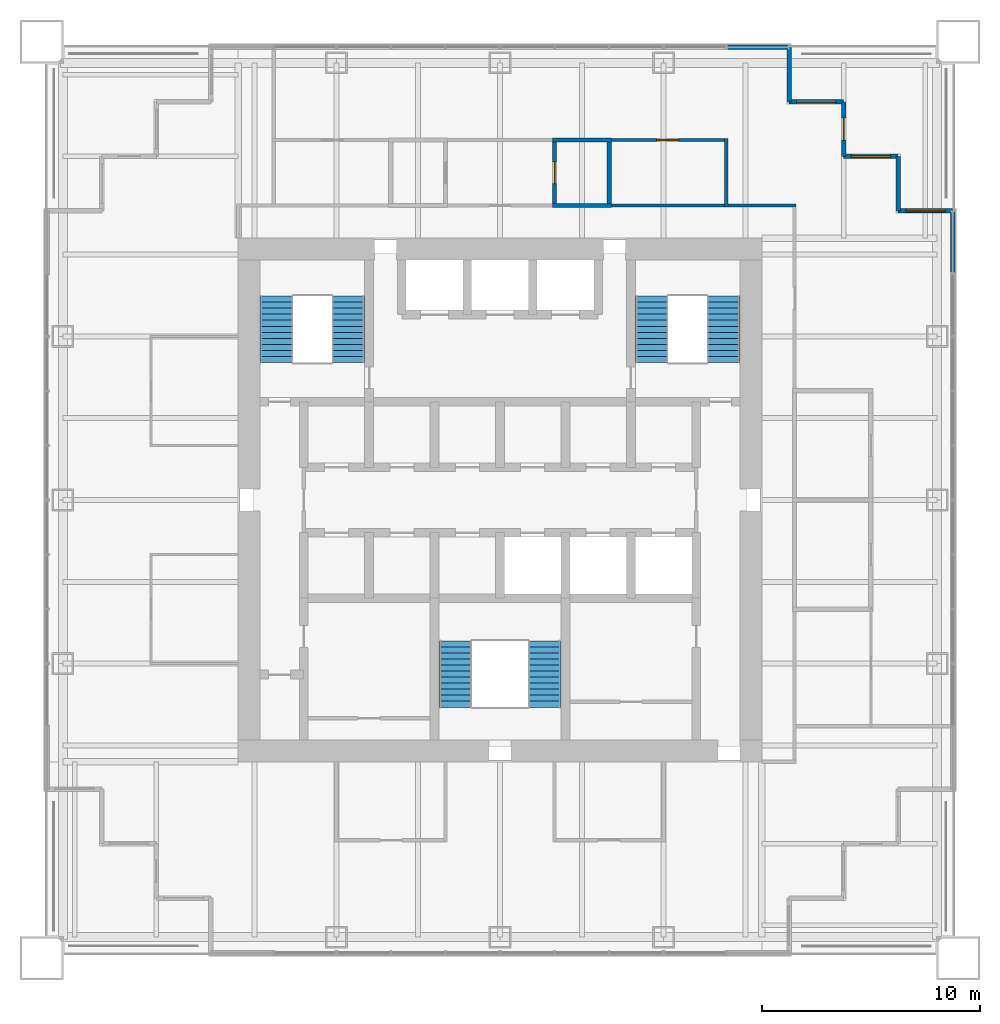
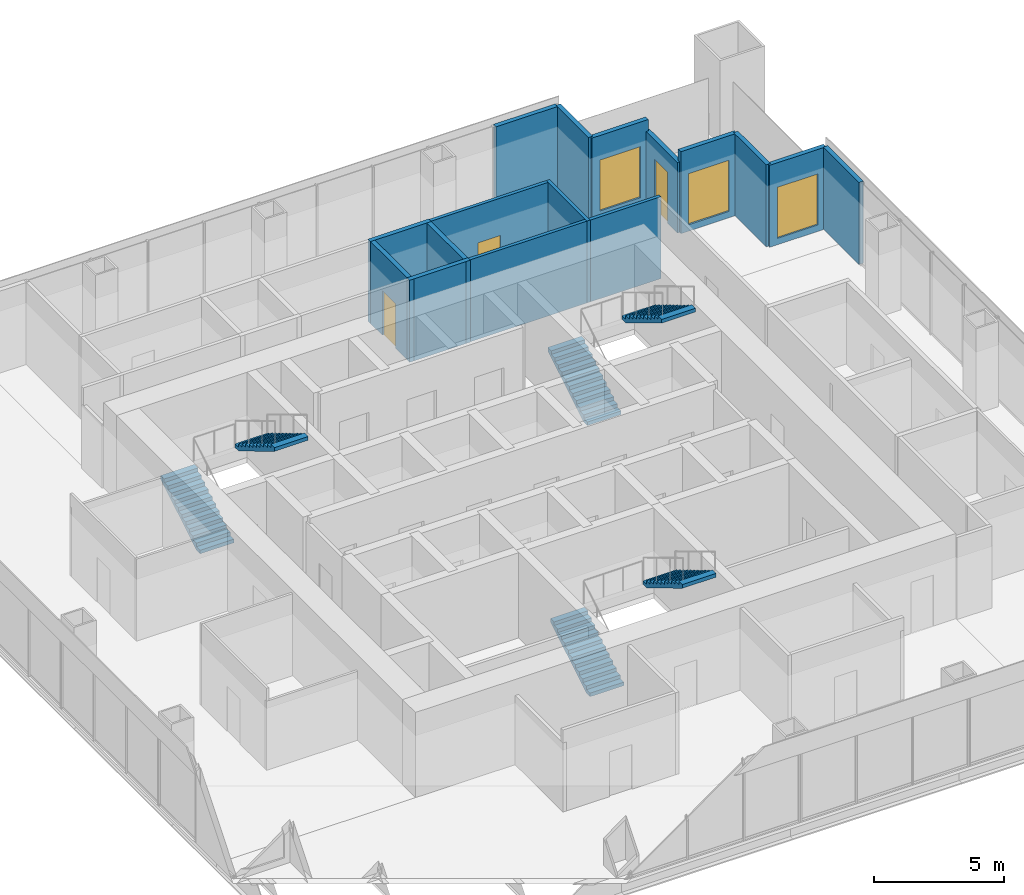
# One storey, part 12 of 14: 15 walls, 6 stair flights, 3 doors, 3 windows, 6 openings, 3 elements without a shape of their own.
"""IFC4 building model written with IfcOpenShell, lengths in metres."""

from ifc_helpers import new_model, si_unit, direction, frame, frame_2d, origin, place, context, subcontext, project, spatial, polyline, rectangle, outline, extrude, material, layer, layer_set, type_object, element, fill, aggregate, save


model = new_model("IFC4")

# Units and contexts
model_context = context("Model", 3, precision=1e-05, world=origin(), true_north=direction((0.0, 1.0)))
body_context = subcontext(model_context, "Body", "Model", "MODEL_VIEW")
ifc_project = project(units=[si_unit("LENGTHUNIT", "METRE"), si_unit("AREAUNIT", "SQUARE_METRE"), si_unit("VOLUMEUNIT", "CUBIC_METRE"), si_unit("PLANEANGLEUNIT", "RADIAN"), si_unit("MASSUNIT", "GRAM", prefix="KILO")], contexts=[model_context])

# Site, building, storey
site_placement = place(None, origin())
site = spatial("IfcSite", under=ifc_project, at=site_placement, CompositionType="ELEMENT")
building_placement = place(site_placement, origin())
building = spatial("IfcBuilding", under=site, at=building_placement, Name="Tarangal Relay Tower", CompositionType="ELEMENT")
storey_placement = place(building_placement, frame((0.0, 0.0, 327.89990234375)))
storey = spatial("IfcBuildingStorey", under=building, at=storey_placement, Name="L73", CompositionType="ELEMENT", Elevation=327.89990234375)

# Walls
ifc_material_1 = material(Name="Two layers gypsum board each side on twin steel studs, mineral wool", Category="steel")
ifc_layer_1 = layer(ifc_material_1, 0.199951171875)
ifc_layer_set_1 = layer_set([ifc_layer_1], Name="Acoustic partition 200")
wall_type_1 = type_object("IfcWallType", Name="Acoustic partition 200", PredefinedType="PARTITIONING", material=ifc_layer_set_1)
for number, where, z_axis, x_axis, name in (
    (1, (2.39990234375, 13.5, 0.0), (0.0, 0.0, 1.0), (1.0, 0.0, 0.0), "Partition PT2 L73"),
    (2, (2.39990234375, 16.5, 0.0), (0.0, 0.0, 1.0), (1.0, 0.0, 0.0), "Partition PT2 L73"),
):
    element("IfcWall", number, at=place(storey_placement, frame(where, z_axis=z_axis, x_axis=x_axis)), inside=storey, type_object=wall_type_1, Name=name, PredefinedType="PARTITIONING", context=body_context, shape_type="SweptSolid", body=[
        extrude(rectangle(XDim=2.7001953125, YDim=0.199951171875, at=frame_2d((1.35009765625, 0.0))), origin(), (0.0, 0.0, 1.0), 3.85009765625),
    ])

# Wall, opening, door
wall_1_placement = place(storey_placement, frame((2.5, 13.39990234375, 0.0), z_axis=(0.0, 0.0, 1.0), x_axis=(0.0, 1.0, 0.0)))
wall_1 = element("IfcWall", 3, at=wall_1_placement, inside=storey, type_object=wall_type_1, Name="Partition PT2 L73", PredefinedType="PARTITIONING", context=body_context, shape_type="SweptSolid", body=[
    extrude(rectangle(XDim=3.2001953125, YDim=0.199951171875, at=frame_2d((1.60009765625, 0.0))), origin(), (0.0, 0.0, 1.0), 3.85009765625),
])
opening_1_placement = place(wall_1_placement, frame((1.10009765625, 0.0, 0.0)))
opening_1 = element("IfcOpeningElement", 4, at=opening_1_placement, cuts=wall_1, Name="Opening D2", PredefinedType="OPENING", context=body_context, shape_type="SweptSolid", body=[
    extrude(rectangle(XDim=1.0, YDim=2.10009765625, at=frame_2d((0.5, 1.050048828125))), frame((0.0, 0.10986328125, 0.0), z_axis=(0.0, -1.0, 0.0), x_axis=(1.0, 0.0, 0.0)), (0.0, 0.0, 1.0), 0.219970703125),
])
ifc_material_2 = material(Name="Hardwood door", Category="wood")
door_type_1 = type_object("IfcDoorType", Name="Door 1000 x 2100", OperationType="SINGLE_SWING_LEFT", PredefinedType="DOOR", material=ifc_material_2)
door_1_placement = place(opening_1_placement, origin())
door_1 = element("IfcDoor", 5, at=door_1_placement, inside=storey, type_object=door_type_1, Name="Door D2 to phone room L73-05", OperationType="SINGLE_SWING_LEFT", OverallHeight=2.10009765625, OverallWidth=1.0, PredefinedType="DOOR", context=body_context, shape_type="SweptSolid", body=[
    extrude(rectangle(XDim=1.0, YDim=2.10009765625, at=frame_2d((0.5, 1.050048828125))), frame((0.0, 0.02490234375, 0.0), z_axis=(0.0, -1.0, 0.0), x_axis=(1.0, 0.0, 0.0)), (0.0, 0.0, 1.0), 0.050048828125),
])
fill(opening_1, door_1)

# Walls
wall_2_placement = place(storey_placement, frame((5.0, 13.39990234375, 0.0), z_axis=(0.0, 0.0, 1.0), x_axis=(0.0, 1.0, 0.0)))
element("IfcWall", 6, at=wall_2_placement, inside=storey, type_object=wall_type_1, Name="Partition PT2 L73", PredefinedType="PARTITIONING", context=body_context, shape_type="SweptSolid", body=[
    extrude(rectangle(XDim=3.2001953125, YDim=0.199951171875, at=frame_2d((1.60009765625, 0.0))), origin(), (0.0, 0.0, 1.0), 3.85009765625),
])
ifc_material_3 = material(Name="Black metal clad insulated wall", Category="steel")
ifc_layer_2 = layer(ifc_material_3, 0.199951171875)
ifc_layer_set_2 = layer_set([ifc_layer_2], Name="Corner wall metal clad 200")
wall_type_2 = type_object("IfcWallType", Name="Corner wall metal clad 200", PredefinedType="SOLIDWALL", material=ifc_layer_set_2)
wall_3_placement = place(storey_placement, frame((13.25, 20.75, 0.0), z_axis=(0.0, 0.0, 1.0), x_axis=(0.0, -1.0, 0.0)))
element("IfcWall", 7, at=wall_3_placement, inside=storey, type_object=wall_type_2, Name="Facade wall N facade L73", PredefinedType="SOLIDWALL", context=body_context, shape_type="SweptSolid", body=[
    extrude(rectangle(XDim=2.5, YDim=0.199951171875, at=frame_2d((1.25, 0.0))), origin(), (0.0, 0.0, 1.0), 3.85009765625),
])

# Wall, opening, window
wall_4_placement = place(storey_placement, frame((13.25, 18.25, 0.0), z_axis=(0.0, 0.0, 1.0), x_axis=(1.0, 0.0, 0.0)))
wall_4 = element("IfcWall", 8, at=wall_4_placement, inside=storey, type_object=wall_type_2, Name="Facade wall N facade L73", PredefinedType="SOLIDWALL", context=body_context, shape_type="SweptSolid", body=[
    extrude(rectangle(XDim=2.5, YDim=0.199951171875, at=frame_2d((1.25, 0.0))), origin(), (0.0, 0.0, 1.0), 3.85009765625),
])
opening_2_placement = place(wall_4_placement, frame((0.35009765625, 0.0, 0.300048828125)))
opening_2 = element("IfcOpeningElement", 9, at=opening_2_placement, cuts=wall_4, Name="Opening WN2", PredefinedType="OPENING", context=body_context, shape_type="SweptSolid", body=[
    extrude(rectangle(XDim=1.800048828125, YDim=2.39990234375, at=frame_2d((0.89990234375, 1.199951171875))), frame((0.0, 0.10986328125, 0.0), z_axis=(0.0, -1.0, 0.0), x_axis=(1.0, 0.0, 0.0)), (0.0, 0.0, 1.0), 0.219970703125),
])
ifc_material_4 = material(Name="Dark tinted double glazing in black aluminium frame", Category="aluminium")
window_type = type_object("IfcWindowType", Name="Corner window 1800 x 2400", PartitioningType="SINGLE_PANEL", PredefinedType="WINDOW", material=ifc_material_4)
window_1_placement = place(opening_2_placement, origin())
window_1 = element("IfcWindow", 10, at=window_1_placement, inside=storey, type_object=window_type, Name="Corner window WN2 N facade L73", OverallHeight=2.39990234375, OverallWidth=1.800048828125, PartitioningType="SINGLE_PANEL", PredefinedType="WINDOW", context=body_context, shape_type="SweptSolid", body=[
    extrude(rectangle(XDim=1.800048828125, YDim=2.39990234375, at=frame_2d((0.89990234375, 1.199951171875))), frame((0.0, 0.030029296875, 0.0), z_axis=(0.0, -1.0, 0.0), x_axis=(1.0, 0.0, 0.0)), (0.0, 0.0, 1.0), 0.06005859375),
])
fill(opening_2, window_1)

# Wall, opening, door
wall_5_placement = place(storey_placement, frame((15.75, 18.25, 0.0), z_axis=(0.0, 0.0, 1.0), x_axis=(0.0, -1.0, 0.0)))
wall_5 = element("IfcWall", 11, at=wall_5_placement, inside=storey, type_object=wall_type_2, Name="Facade wall N facade L73", PredefinedType="SOLIDWALL", context=body_context, shape_type="SweptSolid", body=[
    extrude(rectangle(XDim=2.5, YDim=0.199951171875, at=frame_2d((1.25, 0.0))), origin(), (0.0, 0.0, 1.0), 3.316650390625),
])
opening_3_placement = place(wall_5_placement, frame((0.75, 0.0, 0.0)))
opening_3 = element("IfcOpeningElement", 12, at=opening_3_placement, cuts=wall_5, Name="Opening TD1", PredefinedType="OPENING", context=body_context, shape_type="SweptSolid", body=[
    extrude(rectangle(XDim=1.0, YDim=2.39990234375, at=frame_2d((0.5, 1.199951171875))), frame((0.0, 0.10986328125, 0.0), z_axis=(0.0, -1.0, 0.0), x_axis=(1.0, 0.0, 0.0)), (0.0, 0.0, 1.0), 0.219970703125),
])
ifc_material_5 = material(Name="Aluminium glazed door", Category="aluminium")
door_type_2 = type_object("IfcDoorType", Name="Terrace door 1000 x 2400", OperationType="SINGLE_SWING_RIGHT", PredefinedType="DOOR", material=ifc_material_5)
door_2_placement = place(opening_3_placement, origin())
door_2 = element("IfcDoor", 13, at=door_2_placement, inside=storey, type_object=door_type_2, Name="Terrace door TD1 NE L73", OperationType="SINGLE_SWING_RIGHT", OverallHeight=2.39990234375, OverallWidth=1.0, PredefinedType="DOOR", context=body_context, shape_type="SweptSolid", body=[
    extrude(rectangle(XDim=1.0, YDim=2.39990234375, at=frame_2d((0.5, 1.199951171875))), frame((0.0, 0.02490234375, 0.0), z_axis=(0.0, -1.0, 0.0), x_axis=(1.0, 0.0, 0.0)), (0.0, 0.0, 1.0), 0.050048828125),
])
fill(opening_3, door_2)

# Wall, opening, window
wall_6_placement = place(storey_placement, frame((15.75, 15.75, 0.0), z_axis=(0.0, 0.0, 1.0), x_axis=(1.0, 0.0, 0.0)))
wall_6 = element("IfcWall", 14, at=wall_6_placement, inside=storey, type_object=wall_type_2, Name="Facade wall N facade L73", PredefinedType="SOLIDWALL", context=body_context, shape_type="SweptSolid", body=[
    extrude(rectangle(XDim=2.5, YDim=0.199951171875, at=frame_2d((1.25, 0.0))), origin(), (0.0, 0.0, 1.0), 3.85009765625),
])
opening_4_placement = place(wall_6_placement, frame((0.35009765625, 0.0, 0.300048828125)))
opening_4 = element("IfcOpeningElement", 15, at=opening_4_placement, cuts=wall_6, Name="Opening WN2", PredefinedType="OPENING", context=body_context, shape_type="SweptSolid", body=[
    extrude(rectangle(XDim=1.800048828125, YDim=2.39990234375, at=frame_2d((0.89990234375, 1.199951171875))), frame((0.0, 0.10986328125, 0.0), z_axis=(0.0, -1.0, 0.0), x_axis=(1.0, 0.0, 0.0)), (0.0, 0.0, 1.0), 0.219970703125),
])
window_2_placement = place(opening_4_placement, origin())
window_2 = element("IfcWindow", 16, at=window_2_placement, inside=storey, type_object=window_type, Name="Corner window WN2 N facade L73", OverallHeight=2.39990234375, OverallWidth=1.800048828125, PartitioningType="SINGLE_PANEL", PredefinedType="WINDOW", context=body_context, shape_type="SweptSolid", body=[
    extrude(rectangle(XDim=1.800048828125, YDim=2.39990234375, at=frame_2d((0.89990234375, 1.199951171875))), frame((0.0, 0.030029296875, 0.0), z_axis=(0.0, -1.0, 0.0), x_axis=(1.0, 0.0, 0.0)), (0.0, 0.0, 1.0), 0.06005859375),
])
fill(opening_4, window_2)

# Wall
wall_7_placement = place(storey_placement, frame((18.25, 15.75, 0.0), z_axis=(0.0, 0.0, 1.0), x_axis=(0.0, -1.0, 0.0)))
element("IfcWall", 17, at=wall_7_placement, inside=storey, type_object=wall_type_2, Name="Facade wall N facade L73", PredefinedType="SOLIDWALL", context=body_context, shape_type="SweptSolid", body=[
    extrude(rectangle(XDim=2.5, YDim=0.199951171875, at=frame_2d((1.25, 0.0))), origin(), (0.0, 0.0, 1.0), 3.85009765625),
])

# Wall, opening, window
wall_8_placement = place(storey_placement, frame((18.25, 13.25, 0.0), z_axis=(0.0, 0.0, 1.0), x_axis=(1.0, 0.0, 0.0)))
wall_8 = element("IfcWall", 18, at=wall_8_placement, inside=storey, type_object=wall_type_2, Name="Facade wall N facade L73", PredefinedType="SOLIDWALL", context=body_context, shape_type="SweptSolid", body=[
    extrude(rectangle(XDim=2.5, YDim=0.199951171875, at=frame_2d((1.25, 0.0))), origin(), (0.0, 0.0, 1.0), 3.85009765625),
])
opening_5_placement = place(wall_8_placement, frame((0.35009765625, 0.0, 0.300048828125)))
opening_5 = element("IfcOpeningElement", 19, at=opening_5_placement, cuts=wall_8, Name="Opening WN2", PredefinedType="OPENING", context=body_context, shape_type="SweptSolid", body=[
    extrude(rectangle(XDim=1.800048828125, YDim=2.39990234375, at=frame_2d((0.89990234375, 1.199951171875))), frame((0.0, 0.10986328125, 0.0), z_axis=(0.0, -1.0, 0.0), x_axis=(1.0, 0.0, 0.0)), (0.0, 0.0, 1.0), 0.219970703125),
])
window_3_placement = place(opening_5_placement, origin())
window_3 = element("IfcWindow", 20, at=window_3_placement, inside=storey, type_object=window_type, Name="Corner window WN2 N facade L73", OverallHeight=2.39990234375, OverallWidth=1.800048828125, PartitioningType="SINGLE_PANEL", PredefinedType="WINDOW", context=body_context, shape_type="SweptSolid", body=[
    extrude(rectangle(XDim=1.800048828125, YDim=2.39990234375, at=frame_2d((0.89990234375, 1.199951171875))), frame((0.0, 0.030029296875, 0.0), z_axis=(0.0, -1.0, 0.0), x_axis=(1.0, 0.0, 0.0)), (0.0, 0.0, 1.0), 0.06005859375),
])
fill(opening_5, window_3)

# Walls
ifc_layer_3 = layer(ifc_material_3, 0.199951171875)
ifc_layer_set_3 = layer_set([ifc_layer_3], Name="Facade infill wall metal clad 200")
wall_type_3 = type_object("IfcWallType", Name="Facade infill wall metal clad 200", PredefinedType="SOLIDWALL", material=ifc_layer_set_3)
for number, where, z_axis, x_axis, name in (
    (21, (10.43505859375, 20.75, 0.0), (0.0, 0.0, 1.0), (1.0, 0.0, 0.0), "Facade infill wall N facade L73 1.1"),
    (22, (20.75, 13.18994140625, 0.0), (0.0, 0.0, 1.0), (0.0, -1.0, 0.0), "Facade infill wall E facade L73 1.1"),
):
    element("IfcWall", number, at=place(storey_placement, frame(where, z_axis=z_axis, x_axis=x_axis)), inside=storey, type_object=wall_type_3, Name=name, PredefinedType="SOLIDWALL", context=body_context, shape_type="SweptSolid", body=[
        extrude(rectangle(XDim=2.7548828125, YDim=0.199951171875, at=frame_2d((1.37744140625, 0.0))), origin(), (0.0, 0.0, 1.0), 3.85009765625),
    ])
ifc_material_6 = material(Name="Gypsum board on steel studs", Category="steel")
ifc_layer_4 = layer(ifc_material_6, 0.14990234375)
ifc_layer_set_4 = layer_set([ifc_layer_4], Name="Partition 150")
wall_type_4 = type_object("IfcWallType", Name="Partition 150", PredefinedType="PARTITIONING", material=ifc_layer_set_4)
wall_9_placement = place(storey_placement, frame((4.925048828125, 13.5, 0.0), z_axis=(0.0, 0.0, 1.0), x_axis=(1.0, 0.0, 0.0)))
element("IfcWall", 23, at=wall_9_placement, inside=storey, type_object=wall_type_4, Name="Partition PT1 L73", PredefinedType="PARTITIONING", context=body_context, shape_type="SweptSolid", body=[
    extrude(rectangle(XDim=8.64990234375, YDim=0.14990234375, at=frame_2d((4.324951171875, 0.0))), origin(), (0.0, 0.0, 1.0), 3.85009765625),
])

# Wall, opening, door
wall_10_placement = place(storey_placement, frame((4.925048828125, 16.5, 0.0), z_axis=(0.0, 0.0, 1.0), x_axis=(1.0, 0.0, 0.0)))
wall_10 = element("IfcWall", 24, at=wall_10_placement, inside=storey, type_object=wall_type_4, Name="Partition PT1 L73", PredefinedType="PARTITIONING", context=body_context, shape_type="SweptSolid", body=[
    extrude(rectangle(XDim=5.52490234375, YDim=0.14990234375, at=frame_2d((2.762451171875, 0.0))), origin(), (0.0, 0.0, 1.0), 3.85009765625),
])
opening_6_placement = place(wall_10_placement, frame((2.262451171875, 0.0, 0.0)))
opening_6 = element("IfcOpeningElement", 25, at=opening_6_placement, cuts=wall_10, Name="Opening D2", PredefinedType="OPENING", context=body_context, shape_type="SweptSolid", body=[
    extrude(rectangle(XDim=1.0, YDim=2.10009765625, at=frame_2d((0.5, 1.050048828125))), frame((0.0, 0.0849609375, 0.0), z_axis=(0.0, -1.0, 0.0), x_axis=(1.0, 0.0, 0.0)), (0.0, 0.0, 1.0), 0.169921875),
])
door_3_placement = place(opening_6_placement, origin())
door_3 = element("IfcDoor", 26, at=door_3_placement, inside=storey, type_object=door_type_1, Name="Door D2 to executive office L73-06", OperationType="SINGLE_SWING_LEFT", OverallHeight=2.10009765625, OverallWidth=1.0, PredefinedType="DOOR", context=body_context, shape_type="SweptSolid", body=[
    extrude(rectangle(XDim=1.0, YDim=2.10009765625, at=frame_2d((0.5, 1.050048828125))), frame((0.0, 0.02490234375, 0.0), z_axis=(0.0, -1.0, 0.0), x_axis=(1.0, 0.0, 0.0)), (0.0, 0.0, 1.0), 0.050048828125),
])
fill(opening_6, door_3)

# Wall
wall_11_placement = place(storey_placement, frame((10.375, 13.425048828125, 0.0), z_axis=(0.0, 0.0, 1.0), x_axis=(0.0, 1.0, 0.0)))
element("IfcWall", 27, at=wall_11_placement, inside=storey, type_object=wall_type_4, Name="Partition PT1 L73", PredefinedType="PARTITIONING", context=body_context, shape_type="SweptSolid", body=[
    extrude(rectangle(XDim=3.14990234375, YDim=0.14990234375, at=frame_2d((1.574951171875, 0.0))), origin(), (0.0, 0.0, 1.0), 3.85009765625),
])

# Stair, stair flights
ifc_material_7 = material(Name="Steel ASTM A992 stair flight", Category="steel")
stair_type = type_object("IfcStairType", Name="Core stair 1500", PredefinedType="HALF_TURN_STAIR", material=ifc_material_7)
stair_1_placement = place(storey_placement, origin())
stair_1 = element("IfcStair", 28, at=stair_1_placement, inside=storey, type_object=stair_type, Name="Stair ST-A L73", PredefinedType="HALF_TURN_STAIR")
stair_flight_type = type_object("IfcStairFlightType", Name="Steel stair flight 1500, 12 risers 167 x 277", PredefinedType="STRAIGHT", material=ifc_material_7)
stair_flight_1_placement = place(storey_placement, frame((-10.25, 6.300048828125, 0.0), z_axis=(0.0, 0.0, 1.0), x_axis=(0.0, 1.0, 0.0)))
stair_flight_1 = element("IfcStairFlight", 29, at=stair_flight_1_placement, type_object=stair_flight_type, Name="ST-A flight 1", NumberOfRisers=12, NumberOfTreads=11, PredefinedType="STRAIGHT", RiserHeight=0.166666667, TreadLength=0.277, context=body_context, shape_type="SweptSolid", body=[
    extrude(outline(polyline([(0.0, 0.0), (0.0, 0.166748046875), (0.277099609375, 0.166748046875), (0.277099609375, 0.333251953125), (0.553955078125, 0.333251953125), (0.553955078125, 0.5), (0.8310546875, 0.5), (0.8310546875, 0.666748046875), (1.10791015625, 0.666748046875), (1.10791015625, 0.833251953125), (1.385009765625, 0.833251953125), (1.385009765625, 1.0), (1.662109375, 1.0), (1.662109375, 1.166748046875), (1.93896484375, 1.166748046875), (1.93896484375, 1.333251953125), (2.216064453125, 1.333251953125), (2.216064453125, 1.5), (2.492919921875, 1.5), (2.492919921875, 1.666748046875), (2.77001953125, 1.666748046875), (2.77001953125, 1.833251953125), (3.047119140625, 1.833251953125), (3.047119140625, 2.0), (3.047119140625, 1.658447265625), (0.290771484375, 0.0), (0.0, 0.0)])), frame((0.0, 0.75, 0.0), z_axis=(0.0, -1.0, 0.0), x_axis=(1.0, 0.0, 0.0)), (0.0, 0.0, 1.0), 1.5),
])
stair_flight_2_placement = place(storey_placement, frame((-6.949951171875, 9.346923828125, 2.0), z_axis=(0.0, 0.0, 1.0), x_axis=(0.0, -1.0, 0.0)))
stair_flight_2 = element("IfcStairFlight", 30, at=stair_flight_2_placement, type_object=stair_flight_type, Name="ST-A flight 2", NumberOfRisers=12, NumberOfTreads=11, PredefinedType="STRAIGHT", RiserHeight=0.166666667, TreadLength=0.277, context=body_context, shape_type="SweptSolid", body=[
    extrude(outline(polyline([(0.0, 0.0), (0.0, 0.166748046875), (0.277099609375, 0.166748046875), (0.277099609375, 0.333251953125), (0.553955078125, 0.333251953125), (0.553955078125, 0.5), (0.8310546875, 0.5), (0.8310546875, 0.666748046875), (1.10791015625, 0.666748046875), (1.10791015625, 0.833251953125), (1.385009765625, 0.833251953125), (1.385009765625, 1.0), (1.662109375, 1.0), (1.662109375, 1.166748046875), (1.93896484375, 1.166748046875), (1.93896484375, 1.333251953125), (2.216064453125, 1.333251953125), (2.216064453125, 1.5), (2.492919921875, 1.5), (2.492919921875, 1.666748046875), (2.77001953125, 1.666748046875), (2.77001953125, 1.833251953125), (3.047119140625, 1.833251953125), (3.047119140625, 2.0), (3.047119140625, 1.658447265625), (0.290771484375, 0.0), (0.0, 0.0)])), frame((0.0, 0.75, 0.0), z_axis=(0.0, -1.0, 0.0), x_axis=(1.0, 0.0, 0.0)), (0.0, 0.0, 1.0), 1.5),
])
aggregate(stair_1, [stair_flight_1, stair_flight_2])

stair_2_placement = place(storey_placement, origin())
stair_2 = element("IfcStair", 31, at=stair_2_placement, inside=storey, type_object=stair_type, Name="Stair ST-B L73", PredefinedType="HALF_TURN_STAIR")
stair_flight_3_placement = place(storey_placement, frame((6.949951171875, 6.300048828125, 0.0), z_axis=(0.0, 0.0, 1.0), x_axis=(0.0, 1.0, 0.0)))
stair_flight_3 = element("IfcStairFlight", 32, at=stair_flight_3_placement, type_object=stair_flight_type, Name="ST-B flight 1", NumberOfRisers=12, NumberOfTreads=11, PredefinedType="STRAIGHT", RiserHeight=0.166666667, TreadLength=0.277, context=body_context, shape_type="SweptSolid", body=[
    extrude(outline(polyline([(0.0, 0.0), (0.0, 0.166748046875), (0.277099609375, 0.166748046875), (0.277099609375, 0.333251953125), (0.553955078125, 0.333251953125), (0.553955078125, 0.5), (0.8310546875, 0.5), (0.8310546875, 0.666748046875), (1.10791015625, 0.666748046875), (1.10791015625, 0.833251953125), (1.385009765625, 0.833251953125), (1.385009765625, 1.0), (1.662109375, 1.0), (1.662109375, 1.166748046875), (1.93896484375, 1.166748046875), (1.93896484375, 1.333251953125), (2.216064453125, 1.333251953125), (2.216064453125, 1.5), (2.492919921875, 1.5), (2.492919921875, 1.666748046875), (2.77001953125, 1.666748046875), (2.77001953125, 1.833251953125), (3.047119140625, 1.833251953125), (3.047119140625, 2.0), (3.047119140625, 1.658447265625), (0.290771484375, 0.0), (0.0, 0.0)])), frame((0.0, 0.75, 0.0), z_axis=(0.0, -1.0, 0.0), x_axis=(1.0, 0.0, 0.0)), (0.0, 0.0, 1.0), 1.5),
])
stair_flight_4_placement = place(storey_placement, frame((10.25, 9.346923828125, 2.0), z_axis=(0.0, 0.0, 1.0), x_axis=(0.0, -1.0, 0.0)))
stair_flight_4 = element("IfcStairFlight", 33, at=stair_flight_4_placement, type_object=stair_flight_type, Name="ST-B flight 2", NumberOfRisers=12, NumberOfTreads=11, PredefinedType="STRAIGHT", RiserHeight=0.166666667, TreadLength=0.277, context=body_context, shape_type="SweptSolid", body=[
    extrude(outline(polyline([(0.0, 0.0), (0.0, 0.166748046875), (0.277099609375, 0.166748046875), (0.277099609375, 0.333251953125), (0.553955078125, 0.333251953125), (0.553955078125, 0.5), (0.8310546875, 0.5), (0.8310546875, 0.666748046875), (1.10791015625, 0.666748046875), (1.10791015625, 0.833251953125), (1.385009765625, 0.833251953125), (1.385009765625, 1.0), (1.662109375, 1.0), (1.662109375, 1.166748046875), (1.93896484375, 1.166748046875), (1.93896484375, 1.333251953125), (2.216064453125, 1.333251953125), (2.216064453125, 1.5), (2.492919921875, 1.5), (2.492919921875, 1.666748046875), (2.77001953125, 1.666748046875), (2.77001953125, 1.833251953125), (3.047119140625, 1.833251953125), (3.047119140625, 2.0), (3.047119140625, 1.658447265625), (0.290771484375, 0.0), (0.0, 0.0)])), frame((0.0, 0.75, 0.0), z_axis=(0.0, -1.0, 0.0), x_axis=(1.0, 0.0, 0.0)), (0.0, 0.0, 1.0), 1.5),
])
aggregate(stair_2, [stair_flight_3, stair_flight_4])

stair_3_placement = place(storey_placement, origin())
stair_3 = element("IfcStair", 34, at=stair_3_placement, inside=storey, type_object=stair_type, Name="Stair ST-C L73", PredefinedType="HALF_TURN_STAIR")
stair_flight_5_placement = place(storey_placement, frame((-2.050048828125, -9.5, 0.0), z_axis=(0.0, 0.0, 1.0), x_axis=(0.0, 1.0, 0.0)))
stair_flight_5 = element("IfcStairFlight", 35, at=stair_flight_5_placement, type_object=stair_flight_type, Name="ST-C flight 1", NumberOfRisers=12, NumberOfTreads=11, PredefinedType="STRAIGHT", RiserHeight=0.166666667, TreadLength=0.277, context=body_context, shape_type="SweptSolid", body=[
    extrude(outline(polyline([(0.0, 0.0), (0.0, 0.166748046875), (0.277099609375, 0.166748046875), (0.277099609375, 0.333251953125), (0.553955078125, 0.333251953125), (0.553955078125, 0.5), (0.8310546875, 0.5), (0.8310546875, 0.666748046875), (1.10791015625, 0.666748046875), (1.10791015625, 0.833251953125), (1.385009765625, 0.833251953125), (1.385009765625, 1.0), (1.662109375, 1.0), (1.662109375, 1.166748046875), (1.93896484375, 1.166748046875), (1.93896484375, 1.333251953125), (2.216064453125, 1.333251953125), (2.216064453125, 1.5), (2.492919921875, 1.5), (2.492919921875, 1.666748046875), (2.77001953125, 1.666748046875), (2.77001953125, 1.833251953125), (3.047119140625, 1.833251953125), (3.047119140625, 2.0), (3.047119140625, 1.658447265625), (0.290771484375, 0.0), (0.0, 0.0)])), frame((0.0, 0.75, 0.0), z_axis=(0.0, -1.0, 0.0), x_axis=(1.0, 0.0, 0.0)), (0.0, 0.0, 1.0), 1.5),
])
stair_flight_6_placement = place(storey_placement, frame((2.050048828125, -6.452880859375, 2.0), z_axis=(0.0, 0.0, 1.0), x_axis=(0.0, -1.0, 0.0)))
stair_flight_6 = element("IfcStairFlight", 36, at=stair_flight_6_placement, type_object=stair_flight_type, Name="ST-C flight 2", NumberOfRisers=12, NumberOfTreads=11, PredefinedType="STRAIGHT", RiserHeight=0.166666667, TreadLength=0.277, context=body_context, shape_type="SweptSolid", body=[
    extrude(outline(polyline([(0.0, 0.0), (0.0, 0.166748046875), (0.277099609375, 0.166748046875), (0.277099609375, 0.333251953125), (0.553955078125, 0.333251953125), (0.553955078125, 0.5), (0.8310546875, 0.5), (0.8310546875, 0.666748046875), (1.10791015625, 0.666748046875), (1.10791015625, 0.833251953125), (1.385009765625, 0.833251953125), (1.385009765625, 1.0), (1.662109375, 1.0), (1.662109375, 1.166748046875), (1.93896484375, 1.166748046875), (1.93896484375, 1.333251953125), (2.216064453125, 1.333251953125), (2.216064453125, 1.5), (2.492919921875, 1.5), (2.492919921875, 1.666748046875), (2.77001953125, 1.666748046875), (2.77001953125, 1.833251953125), (3.047119140625, 1.833251953125), (3.047119140625, 2.0), (3.047119140625, 1.658447265625), (0.290771484375, 0.0), (0.0, 0.0)])), frame((0.0, 0.75, 0.0), z_axis=(0.0, -1.0, 0.0), x_axis=(1.0, 0.0, 0.0)), (0.0, 0.0, 1.0), 1.5),
])
aggregate(stair_3, [stair_flight_5, stair_flight_6])

save(model, "model.ifc")
